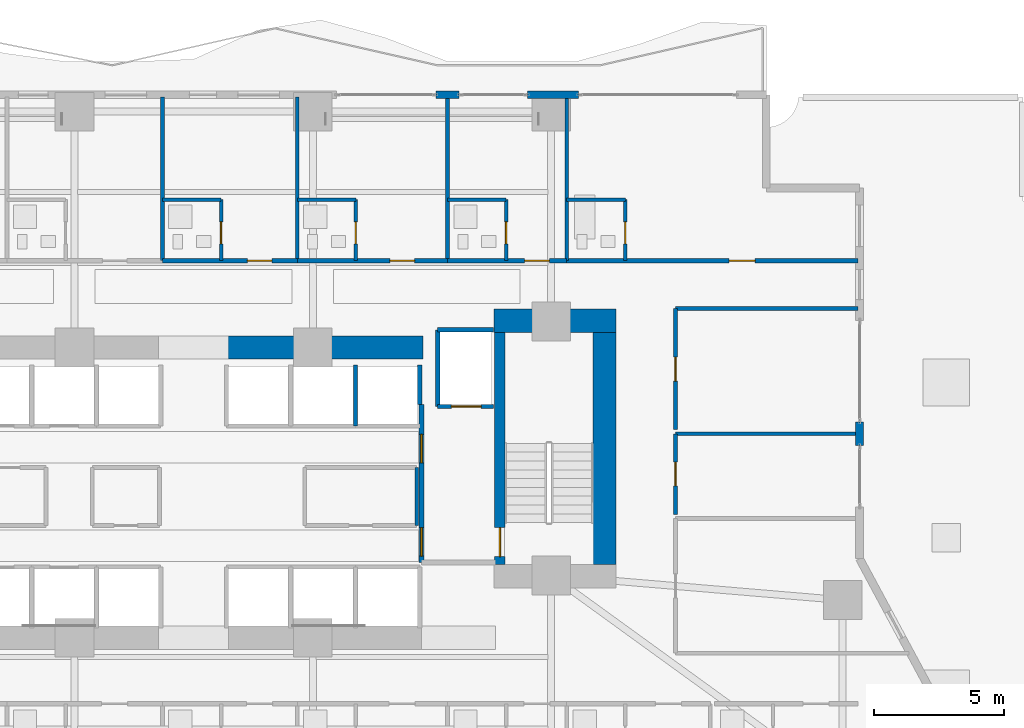
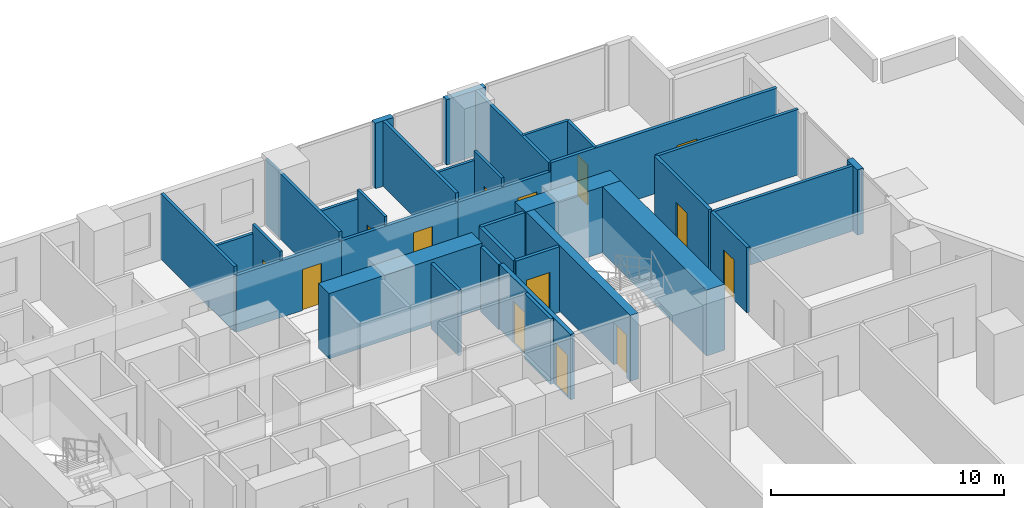
# One storey, part 24 of 30: 34 walls, 14 doors, 14 openings.
"""IFC4 building model written with IfcOpenShell, lengths in metres."""

from ifc_helpers import new_model, si_unit, direction, frame, frame_2d, origin, place, context, subcontext, project, spatial, rectangle, extrude, material, layer, layer_set, type_object, element, fill, save


model = new_model("IFC4")

# Units and contexts
model_context = context("Model", 3, precision=1e-05, world=origin(), true_north=direction((0.0, 1.0)))
body_context = subcontext(model_context, "Body", "Model", "MODEL_VIEW")
ifc_project = project(units=[si_unit("LENGTHUNIT", "METRE"), si_unit("AREAUNIT", "SQUARE_METRE"), si_unit("VOLUMEUNIT", "CUBIC_METRE"), si_unit("PLANEANGLEUNIT", "RADIAN"), si_unit("MASSUNIT", "GRAM", prefix="KILO")], contexts=[model_context])

# Site, building, storey
site_placement = place(None, origin())
site = spatial("IfcSite", under=ifc_project, at=site_placement, CompositionType="ELEMENT")
building_placement = place(site_placement, origin())
building = spatial("IfcBuilding", under=site, at=building_placement, Name="Zuhayl Quay Hotel", CompositionType="ELEMENT")
storey_placement = place(building_placement, frame((0.0, 0.0, 27.60009765625)))
storey = spatial("IfcBuildingStorey", under=building, at=storey_placement, Name="L05", CompositionType="ELEMENT", Elevation=27.60009765625)

# Walls
ifc_material_1 = material(Name="Concrete C70/85", Category="concrete")
ifc_layer_1 = layer(ifc_material_1, 0.89990234375, Name="Concrete C70/85", Category="concrete")
ifc_layer_set_1 = layer_set([ifc_layer_1], Name="Concrete C70/85")
wall_type_1 = type_object("IfcWallType", Name="WL_CORE_900", PredefinedType="SHEAR", material=ifc_layer_set_1)
wall_1_placement = place(storey_placement, frame((11.60009765625, 14.3798828125, 0.0), z_axis=(0.0, 0.0, 1.0), x_axis=(1.0, 0.0, 0.0)))
element("IfcWall", 1, at=wall_1_placement, inside=storey, type_object=wall_type_1, Name="L05 Core Shear Wall CW_NE", PredefinedType="SHEAR", context=body_context, shape_type="SweptSolid", body=[
    extrude(rectangle(XDim=4.7099609375, YDim=0.89990234375, at=frame_2d((2.35498046875, 0.0))), origin(), (0.0, 0.0, 1.0), 3.4599609375),
])
wall_2_placement = place(storey_placement, frame((15.860107421875, 4.969970703125, 0.0), z_axis=(0.0, 0.0, 1.0), x_axis=(0.0, 1.0, 0.0)))
element("IfcWall", 2, at=wall_2_placement, inside=storey, type_object=wall_type_1, Name="L05 Core Shear Wall CW_E", PredefinedType="SHEAR", context=body_context, shape_type="SweptSolid", body=[
    extrude(rectangle(XDim=8.9599609375, YDim=0.89990234375, at=frame_2d((4.47998046875, 0.0))), origin(), (0.0, 0.0, 1.0), 3.4599609375),
])
wall_3_placement = place(storey_placement, frame((1.25, 13.35009765625, 0.0), z_axis=(0.0, 0.0, 1.0), x_axis=(1.0, 0.0, 0.0)))
element("IfcWall", 3, at=wall_3_placement, inside=storey, type_object=wall_type_1, Name="L05 Core Shear Wall CW_NC_E", PredefinedType="SHEAR", context=body_context, shape_type="SweptSolid", body=[
    extrude(rectangle(XDim=7.60009765625, YDim=0.89990234375, at=frame_2d((3.800048828125, 0.0))), origin(), (0.0, 0.0, 1.0), 3.429931640625),
])
ifc_material_2 = material(Name="Precast concrete C45/55", Category="concrete")
ifc_layer_2 = layer(ifc_material_2, 0.300048828125, Name="Precast concrete C45/55", Category="concrete")
ifc_layer_set_2 = layer_set([ifc_layer_2], Name="Precast concrete C45/55")
wall_type_2 = type_object("IfcWallType", Name="WL_EXT_300", PredefinedType="STANDARD", material=ifc_layer_set_2)
wall_4_placement = place(storey_placement, frame((9.35009765625, 23.10009765625, 0.0), z_axis=(0.0, 0.0, 1.0), x_axis=(1.0, 0.0, 0.0)))
element("IfcWall", 4, at=wall_4_placement, inside=storey, type_object=wall_type_2, Name="L05 Exterior Precast Wall ENV_L05_N_EW3", PredefinedType="STANDARD", context=body_context, shape_type="SweptSolid", body=[
    extrude(rectangle(XDim=0.89990234375, YDim=0.300048828125, at=frame_2d((0.449951171875, 0.0))), origin(), (0.0, 0.0, 1.0), 3.429931640625),
])
wall_5_placement = place(storey_placement, frame((12.8798828125, 23.10009765625, 0.0), z_axis=(0.0, 0.0, 1.0), x_axis=(1.0, 0.0, 0.0)))
element("IfcWall", 5, at=wall_5_placement, inside=storey, type_object=wall_type_2, Name="L05 Exterior Precast Wall ENV_L05_N_EW4", PredefinedType="STANDARD", context=body_context, shape_type="SweptSolid", body=[
    extrude(rectangle(XDim=1.97021484375, YDim=0.300048828125, at=frame_2d((0.985107421875, 0.0))), origin(), (0.0, 0.0, 1.0), 3.429931640625),
])
wall_6_placement = place(storey_placement, frame((25.699951171875, 10.469970703125, 0.0), z_axis=(0.0, 0.0, 1.0), x_axis=(0.0, -1.0, 0.0)))
element("IfcWall", 6, at=wall_6_placement, inside=storey, type_object=wall_type_2, Name="L05 Exterior Precast Wall ENV_L05_E11_EW2", PredefinedType="STANDARD", context=body_context, shape_type="SweptSolid", body=[
    extrude(rectangle(XDim=0.89990234375, YDim=0.300048828125, at=frame_2d((0.449951171875, 0.0))), origin(), (0.0, 0.0, 1.0), 3.429931640625),
])
ifc_material_3 = material(Name="Acoustic Gypsum Partition STC-58")
ifc_layer_3 = layer(ifc_material_3, 0.14990234375, Name="Acoustic Gypsum Partition STC-58")
ifc_layer_set_3 = layer_set([ifc_layer_3], Name="Acoustic Gypsum Partition STC-58")
wall_type_3 = type_object("IfcWallType", Name="WL_PART_150", PredefinedType="PARTITIONING", material=ifc_layer_set_3)
wall_7_placement = place(storey_placement, frame((8.610107421875, 6.47998046875, 0.0), z_axis=(0.0, 0.0, 1.0), x_axis=(0.0, 1.0, 0.0)))
element("IfcWall", 7, at=wall_7_placement, inside=storey, type_object=wall_type_3, Name="L05 Partition IW_L05_CORE_VL_E", PredefinedType="PARTITIONING", context=body_context, shape_type="SweptSolid", body=[
    extrude(rectangle(XDim=2.239990234375, YDim=0.14990234375, at=frame_2d((1.1201171875, 0.0))), origin(), (0.0, 0.0, 1.0), 3.429931640625),
])
for number, where, z_axis, x_axis, name in (
    (8, (-1.199951171875, 16.699951171875, 0.0), (0.0, 0.0, 1.0), (0.0, 1.0, 0.0), "L05 Partition IW_L05_NU03_E"),
    (9, (4.0, 16.699951171875, 0.0), (0.0, 0.0, 1.0), (0.0, 1.0, 0.0), "L05 Partition IW_L05_NU04_E"),
    (10, (9.800048828125, 16.699951171875, 0.0), (0.0, 0.0, 1.0), (0.0, 1.0, 0.0), "L05 Partition IW_L05_NU05_E"),
    (11, (14.39990234375, 16.699951171875, 0.0), (0.0, 0.0, 1.0), (0.0, 1.0, 0.0), "L05 Partition IW_L05_NU06_E"),
):
    element("IfcWall", number, at=place(storey_placement, frame(where, z_axis=z_axis, x_axis=x_axis)), inside=storey, type_object=wall_type_3, Name=name, PredefinedType="PARTITIONING", context=body_context, shape_type="SweptSolid", body=[
        extrude(rectangle(XDim=6.320068359375, YDim=0.14990234375, at=frame_2d((3.16015625, 0.0))), origin(), (0.0, 0.0, 1.0), 3.429931640625),
    ])
for number, where, z_axis, x_axis, name in (
    (12, (18.60009765625, 10.02001953125, 0.0), (0.0, 0.0, 1.0), (1.0, 0.0, 0.0), "L05 Partition IW_L05_EFLK_2_N"),
    (13, (18.60009765625, 14.85009765625, 0.0), (0.0, 0.0, 1.0), (1.0, 0.0, 0.0), "L05 Partition IW_L05_EFLK_3_N"),
):
    element("IfcWall", number, at=place(storey_placement, frame(where, z_axis=z_axis, x_axis=x_axis)), inside=storey, type_object=wall_type_3, Name=name, PredefinedType="PARTITIONING", context=body_context, shape_type="SweptSolid", body=[
        extrude(rectangle(XDim=7.039794921875, YDim=0.14990234375, at=frame_2d((3.52001953125, 0.0))), origin(), (0.0, 0.0, 1.0), 3.429931640625),
    ])

# Wall, opening, door
ifc_layer_4 = layer(ifc_material_3, 0.159912109375, Name="Acoustic Gypsum Partition STC-58")
ifc_layer_set_4 = layer_set([ifc_layer_4], Name="Acoustic Gypsum Partition STC-58")
wall_type_4 = type_object("IfcWallType", Name="WL_PART_CORR_160", PredefinedType="PARTITIONING", material=ifc_layer_set_4)
wall_8_placement = place(storey_placement, frame((-1.199951171875, 16.699951171875, 0.0), z_axis=(0.0, 0.0, 1.0), x_axis=(1.0, 0.0, 0.0)))
wall_8 = element("IfcWall", 14, at=wall_8_placement, inside=storey, type_object=wall_type_4, Name="L05 Partition IW_L05_NU04_COR", PredefinedType="PARTITIONING", context=body_context, shape_type="SweptSolid", body=[
    extrude(rectangle(XDim=5.199951171875, YDim=0.159912109375, at=frame_2d((2.60009765625, 0.0))), origin(), (0.0, 0.0, 1.0), 2.972900390625),
])
opening_1_placement = place(wall_8_placement, frame((3.27490234375, 0.0, 0.0)))
opening_1 = element("IfcOpeningElement", 15, at=opening_1_placement, cuts=wall_8, Name="Opening D03", PredefinedType="OPENING", context=body_context, shape_type="SweptSolid", body=[
    extrude(rectangle(XDim=0.949951171875, YDim=2.14990234375, at=frame_2d((0.47509765625, 1.074951171875))), frame((0.0, 0.08984375, 0.0), z_axis=(0.0, -1.0, 0.0), x_axis=(1.0, 0.0, 0.0)), (0.0, 0.0, 1.0), 0.179931640625),
])
ifc_material_4 = material(Name="Solid Walnut Acoustic Fire Door")
door_type_1 = type_object("IfcDoorType", Name="DR_SUITE_950", OperationType="NOTDEFINED", PredefinedType="DOOR", material=ifc_material_4)
door_1_placement = place(opening_1_placement, origin())
door_1 = element("IfcDoor", 16, at=door_1_placement, inside=storey, type_object=door_type_1, Name="L05 Deluxe Gulf Guest Room L05-04 Entrance Door", OperationType="SINGLE_SWING_RIGHT", OverallHeight=2.14990234375, OverallWidth=0.949951171875, PredefinedType="DOOR", context=body_context, shape_type="SweptSolid", body=[
    extrude(rectangle(XDim=0.949951171875, YDim=2.14990234375, at=frame_2d((0.47509765625, 1.074951171875))), frame((0.0, 0.02490234375, 0.0), z_axis=(0.0, -1.0, 0.0), x_axis=(1.0, 0.0, 0.0)), (0.0, 0.0, 1.0), 0.050048828125),
])
fill(opening_1, door_1)

wall_9_placement = place(storey_placement, frame((4.0, 16.699951171875, 0.0), z_axis=(0.0, 0.0, 1.0), x_axis=(1.0, 0.0, 0.0)))
wall_9 = element("IfcWall", 17, at=wall_9_placement, inside=storey, type_object=wall_type_4, Name="L05 Partition IW_L05_NU05_COR", PredefinedType="PARTITIONING", context=body_context, shape_type="SweptSolid", body=[
    extrude(rectangle(XDim=5.800048828125, YDim=0.159912109375, at=frame_2d((2.89990234375, 0.0))), origin(), (0.0, 0.0, 1.0), 2.972900390625),
])
opening_2_placement = place(wall_9_placement, frame((3.574951171875, 0.0, 0.0)))
opening_2 = element("IfcOpeningElement", 18, at=opening_2_placement, cuts=wall_9, Name="Opening D03", PredefinedType="OPENING", context=body_context, shape_type="SweptSolid", body=[
    extrude(rectangle(XDim=0.949951171875, YDim=2.14990234375, at=frame_2d((0.47509765625, 1.074951171875))), frame((0.0, 0.08984375, 0.0), z_axis=(0.0, -1.0, 0.0), x_axis=(1.0, 0.0, 0.0)), (0.0, 0.0, 1.0), 0.179931640625),
])
door_2_placement = place(opening_2_placement, origin())
door_2 = element("IfcDoor", 19, at=door_2_placement, inside=storey, type_object=door_type_1, Name="L05 Deluxe Gulf Guest Room L05-05 Entrance Door", OperationType="SINGLE_SWING_RIGHT", OverallHeight=2.14990234375, OverallWidth=0.949951171875, PredefinedType="DOOR", context=body_context, shape_type="SweptSolid", body=[
    extrude(rectangle(XDim=0.949951171875, YDim=2.14990234375, at=frame_2d((0.47509765625, 1.074951171875))), frame((0.0, 0.02490234375, 0.0), z_axis=(0.0, -1.0, 0.0), x_axis=(1.0, 0.0, 0.0)), (0.0, 0.0, 1.0), 0.050048828125),
])
fill(opening_2, door_2)

wall_10_placement = place(storey_placement, frame((9.800048828125, 16.699951171875, 0.0), z_axis=(0.0, 0.0, 1.0), x_axis=(1.0, 0.0, 0.0)))
wall_10 = element("IfcWall", 20, at=wall_10_placement, inside=storey, type_object=wall_type_4, Name="L05 Partition IW_L05_NU06_COR", PredefinedType="PARTITIONING", context=body_context, shape_type="SweptSolid", body=[
    extrude(rectangle(XDim=4.599853515625, YDim=0.159912109375, at=frame_2d((2.2998046875, 0.0))), origin(), (0.0, 0.0, 1.0), 2.972900390625),
])
opening_3_placement = place(wall_10_placement, frame((2.97509765625, 0.0, 0.0)))
opening_3 = element("IfcOpeningElement", 21, at=opening_3_placement, cuts=wall_10, Name="Opening D03", PredefinedType="OPENING", context=body_context, shape_type="SweptSolid", body=[
    extrude(rectangle(XDim=0.949951171875, YDim=2.14990234375, at=frame_2d((0.47509765625, 1.074951171875))), frame((0.0, 0.08984375, 0.0), z_axis=(0.0, -1.0, 0.0), x_axis=(1.0, 0.0, 0.0)), (0.0, 0.0, 1.0), 0.179931640625),
])
door_3_placement = place(opening_3_placement, origin())
door_3 = element("IfcDoor", 22, at=door_3_placement, inside=storey, type_object=door_type_1, Name="L05 Deluxe Gulf Guest Room L05-06 Entrance Door", OperationType="SINGLE_SWING_RIGHT", OverallHeight=2.14990234375, OverallWidth=0.949951171875, PredefinedType="DOOR", context=body_context, shape_type="SweptSolid", body=[
    extrude(rectangle(XDim=0.949951171875, YDim=2.14990234375, at=frame_2d((0.47509765625, 1.074951171875))), frame((0.0, 0.02490234375, 0.0), z_axis=(0.0, -1.0, 0.0), x_axis=(1.0, 0.0, 0.0)), (0.0, 0.0, 1.0), 0.050048828125),
])
fill(opening_3, door_3)

wall_11_placement = place(storey_placement, frame((14.39990234375, 16.699951171875, 0.0), z_axis=(0.0, 0.0, 1.0), x_axis=(1.0, 0.0, 0.0)))
wall_11 = element("IfcWall", 23, at=wall_11_placement, inside=storey, type_object=wall_type_4, Name="L05 Partition IW_L05_NU07_COR", PredefinedType="PARTITIONING", context=body_context, shape_type="SweptSolid", body=[
    extrude(rectangle(XDim=11.239990234375, YDim=0.159912109375, at=frame_2d((5.6201171875, 0.0))), origin(), (0.0, 0.0, 1.0), 3.429931640625),
])
opening_4_placement = place(wall_11_placement, frame((6.27001953125, 0.0, 0.0)))
opening_4 = element("IfcOpeningElement", 24, at=opening_4_placement, cuts=wall_11, Name="Opening D03L", PredefinedType="OPENING", context=body_context, shape_type="SweptSolid", body=[
    extrude(rectangle(XDim=1.0, YDim=2.14990234375, at=frame_2d((0.5, 1.074951171875))), frame((0.0, 0.08984375, 0.0), z_axis=(0.0, -1.0, 0.0), x_axis=(1.0, 0.0, 0.0)), (0.0, 0.0, 1.0), 0.179931640625),
])
door_type_2 = type_object("IfcDoorType", Name="DR_SUITE_1000", OperationType="NOTDEFINED", PredefinedType="DOOR", material=ifc_material_4)
door_4_placement = place(opening_4_placement, origin())
door_4 = element("IfcDoor", 25, at=door_4_placement, inside=storey, type_object=door_type_2, Name="L05 Deluxe Gulf Guest Room L05-07 Entrance Door", OperationType="SINGLE_SWING_RIGHT", OverallHeight=2.14990234375, OverallWidth=1.0, PredefinedType="DOOR", context=body_context, shape_type="SweptSolid", body=[
    extrude(rectangle(XDim=1.0, YDim=2.14990234375, at=frame_2d((0.5, 1.074951171875))), frame((0.0, 0.02490234375, 0.0), z_axis=(0.0, -1.0, 0.0), x_axis=(1.0, 0.0, 0.0)), (0.0, 0.0, 1.0), 0.050048828125),
])
fill(opening_4, door_4)

wall_12_placement = place(storey_placement, frame((18.60009765625, 6.909912109375, 0.0), z_axis=(0.0, 0.0, 1.0), x_axis=(0.0, 1.0, 0.0)))
wall_12 = element("IfcWall", 26, at=wall_12_placement, inside=storey, type_object=wall_type_4, Name="L05 Partition IW_L05_EFLK_2_W", PredefinedType="PARTITIONING", context=body_context, shape_type="SweptSolid", body=[
    extrude(rectangle(XDim=3.110107421875, YDim=0.159912109375, at=frame_2d((1.55517578125, 0.0))), origin(), (0.0, 0.0, 1.0), 3.429931640625),
])
opening_5_placement = place(wall_12_placement, frame((1.094970703125, 0.0, 0.0)))
opening_5 = element("IfcOpeningElement", 27, at=opening_5_placement, cuts=wall_12, Name="Opening D05", PredefinedType="OPENING", context=body_context, shape_type="SweptSolid", body=[
    extrude(rectangle(XDim=0.919921875, YDim=2.1201171875, at=frame_2d((0.4599609375, 1.06005859375))), frame((0.0, 0.08984375, 0.0), z_axis=(0.0, -1.0, 0.0), x_axis=(1.0, 0.0, 0.0)), (0.0, 0.0, 1.0), 0.179931640625),
])
door_type_3 = type_object("IfcDoorType", Name="DR_INT_950", OperationType="NOTDEFINED", PredefinedType="DOOR", material=ifc_material_4)
door_5_placement = place(opening_5_placement, origin())
door_5 = element("IfcDoor", 28, at=door_5_placement, inside=storey, type_object=door_type_3, Name="L05 Floor Beverage Pantry Door", OperationType="SINGLE_SWING_RIGHT", OverallHeight=2.1201171875, OverallWidth=0.919921875, PredefinedType="DOOR", context=body_context, shape_type="SweptSolid", body=[
    extrude(rectangle(XDim=0.919921875, YDim=2.1201171875, at=frame_2d((0.4599609375, 1.06005859375))), frame((0.0, 0.02490234375, 0.0), z_axis=(0.0, -1.0, 0.0), x_axis=(1.0, 0.0, 0.0)), (0.0, 0.0, 1.0), 0.050048828125),
])
fill(opening_5, door_5)

wall_13_placement = place(storey_placement, frame((18.60009765625, 10.179931640625, 0.0), z_axis=(0.0, 0.0, 1.0), x_axis=(0.0, 1.0, 0.0)))
wall_13 = element("IfcWall", 29, at=wall_13_placement, inside=storey, type_object=wall_type_4, Name="L05 Partition IW_L05_EFLK_3_W", PredefinedType="PARTITIONING", context=body_context, shape_type="SweptSolid", body=[
    extrude(rectangle(XDim=4.670166015625, YDim=0.159912109375, at=frame_2d((2.3349609375, 0.0))), origin(), (0.0, 0.0, 1.0), 3.429931640625),
])
opening_6_placement = place(wall_13_placement, frame((1.875, 0.0, 0.0)))
opening_6 = element("IfcOpeningElement", 30, at=opening_6_placement, cuts=wall_13, Name="Opening D05", PredefinedType="OPENING", context=body_context, shape_type="SweptSolid", body=[
    extrude(rectangle(XDim=0.919921875, YDim=2.1201171875, at=frame_2d((0.4599609375, 1.06005859375))), frame((0.0, 0.08984375, 0.0), z_axis=(0.0, -1.0, 0.0), x_axis=(1.0, 0.0, 0.0)), (0.0, 0.0, 1.0), 0.179931640625),
])
door_6_placement = place(opening_6_placement, origin())
door_6 = element("IfcDoor", 31, at=door_6_placement, inside=storey, type_object=door_type_3, Name="L05 East Prow Office L05 Door", OperationType="SINGLE_SWING_LEFT", OverallHeight=2.1201171875, OverallWidth=0.919921875, PredefinedType="DOOR", context=body_context, shape_type="SweptSolid", body=[
    extrude(rectangle(XDim=0.919921875, YDim=2.1201171875, at=frame_2d((0.4599609375, 1.06005859375))), frame((0.0, 0.02490234375, 0.0), z_axis=(0.0, -1.0, 0.0), x_axis=(1.0, 0.0, 0.0)), (0.0, 0.0, 1.0), 0.050048828125),
])
fill(opening_6, door_6)

ifc_material_5 = material(Name="Moisture-Resistant Sanitarychase Gypsum")
ifc_layer_5 = layer(ifc_material_5, 0.135009765625, Name="Moisture-Resistant Sanitarychase Gypsum")
ifc_layer_set_5 = layer_set([ifc_layer_5], Name="Moisture-Resistant Sanitarychase Gypsum")
wall_type_5 = type_object("IfcWallType", Name="WL_PART_PLUMB_150", PredefinedType="PLUMBINGWALL", material=ifc_layer_set_5)
wall_14_placement = place(storey_placement, frame((1.06005859375, 16.699951171875, 0.0), z_axis=(0.0, 0.0, 1.0), x_axis=(0.0, 1.0, 0.0)))
wall_14 = element("IfcWall", 32, at=wall_14_placement, inside=storey, type_object=wall_type_5, Name="L05 Partition IW_L05_NU04_BE", PredefinedType="PLUMBINGWALL", context=body_context, shape_type="SweptSolid", body=[
    extrude(rectangle(XDim=2.360107421875, YDim=0.135009765625, at=frame_2d((1.18017578125, 0.0))), origin(), (0.0, 0.0, 1.0), 3.429931640625),
])
opening_7_placement = place(wall_14_placement, frame((0.64990234375, 0.0, 0.0)))
opening_7 = element("IfcOpeningElement", 33, at=opening_7_placement, cuts=wall_14, Name="Opening D04", PredefinedType="OPENING", context=body_context, shape_type="SweptSolid", body=[
    extrude(rectangle(XDim=0.85009765625, YDim=2.10009765625, at=frame_2d((0.425048828125, 1.050048828125))), frame((0.0, 0.077392578125, 0.0), z_axis=(0.0, -1.0, 0.0), x_axis=(1.0, 0.0, 0.0)), (0.0, 0.0, 1.0), 0.155029296875),
])
ifc_material_6 = material(Name="Moisture-Resistant Walnut Veneer")
door_type_4 = type_object("IfcDoorType", Name="DR_BATH_850", OperationType="NOTDEFINED", PredefinedType="DOOR", material=ifc_material_6)
door_7_placement = place(opening_7_placement, origin())
door_7 = element("IfcDoor", 34, at=door_7_placement, inside=storey, type_object=door_type_4, Name="L05 Deluxe Gulf Guest Room L05-04 En-Suite Door", OperationType="SINGLE_SWING_LEFT", OverallHeight=2.10009765625, OverallWidth=0.85009765625, PredefinedType="DOOR", context=body_context, shape_type="SweptSolid", body=[
    extrude(rectangle(XDim=0.85009765625, YDim=2.10009765625, at=frame_2d((0.425048828125, 1.050048828125))), frame((0.0, 0.02490234375, 0.0), z_axis=(0.0, -1.0, 0.0), x_axis=(1.0, 0.0, 0.0)), (0.0, 0.0, 1.0), 0.050048828125),
])
fill(opening_7, door_7)

wall_15_placement = place(storey_placement, frame((6.260009765625, 16.699951171875, 0.0), z_axis=(0.0, 0.0, 1.0), x_axis=(0.0, 1.0, 0.0)))
wall_15 = element("IfcWall", 35, at=wall_15_placement, inside=storey, type_object=wall_type_5, Name="L05 Partition IW_L05_NU05_BE", PredefinedType="PLUMBINGWALL", context=body_context, shape_type="SweptSolid", body=[
    extrude(rectangle(XDim=2.360107421875, YDim=0.135009765625, at=frame_2d((1.18017578125, 0.0))), origin(), (0.0, 0.0, 1.0), 3.429931640625),
])
opening_8_placement = place(wall_15_placement, frame((0.64990234375, 0.0, 0.0)))
opening_8 = element("IfcOpeningElement", 36, at=opening_8_placement, cuts=wall_15, Name="Opening D04", PredefinedType="OPENING", context=body_context, shape_type="SweptSolid", body=[
    extrude(rectangle(XDim=0.85009765625, YDim=2.10009765625, at=frame_2d((0.425048828125, 1.050048828125))), frame((0.0, 0.077392578125, 0.0), z_axis=(0.0, -1.0, 0.0), x_axis=(1.0, 0.0, 0.0)), (0.0, 0.0, 1.0), 0.155029296875),
])
door_8_placement = place(opening_8_placement, origin())
door_8 = element("IfcDoor", 37, at=door_8_placement, inside=storey, type_object=door_type_4, Name="L05 Deluxe Gulf Guest Room L05-05 En-Suite Door", OperationType="SINGLE_SWING_LEFT", OverallHeight=2.10009765625, OverallWidth=0.85009765625, PredefinedType="DOOR", context=body_context, shape_type="SweptSolid", body=[
    extrude(rectangle(XDim=0.85009765625, YDim=2.10009765625, at=frame_2d((0.425048828125, 1.050048828125))), frame((0.0, 0.02490234375, 0.0), z_axis=(0.0, -1.0, 0.0), x_axis=(1.0, 0.0, 0.0)), (0.0, 0.0, 1.0), 0.050048828125),
])
fill(opening_8, door_8)

wall_16_placement = place(storey_placement, frame((12.06005859375, 16.699951171875, 0.0), z_axis=(0.0, 0.0, 1.0), x_axis=(0.0, 1.0, 0.0)))
wall_16 = element("IfcWall", 38, at=wall_16_placement, inside=storey, type_object=wall_type_5, Name="L05 Partition IW_L05_NU06_BE", PredefinedType="PLUMBINGWALL", context=body_context, shape_type="SweptSolid", body=[
    extrude(rectangle(XDim=2.360107421875, YDim=0.135009765625, at=frame_2d((1.18017578125, 0.0))), origin(), (0.0, 0.0, 1.0), 3.429931640625),
])
opening_9_placement = place(wall_16_placement, frame((0.64990234375, 0.0, 0.0)))
opening_9 = element("IfcOpeningElement", 39, at=opening_9_placement, cuts=wall_16, Name="Opening D04", PredefinedType="OPENING", context=body_context, shape_type="SweptSolid", body=[
    extrude(rectangle(XDim=0.85009765625, YDim=2.10009765625, at=frame_2d((0.425048828125, 1.050048828125))), frame((0.0, 0.077392578125, 0.0), z_axis=(0.0, -1.0, 0.0), x_axis=(1.0, 0.0, 0.0)), (0.0, 0.0, 1.0), 0.155029296875),
])
door_9_placement = place(opening_9_placement, origin())
door_9 = element("IfcDoor", 40, at=door_9_placement, inside=storey, type_object=door_type_4, Name="L05 Deluxe Gulf Guest Room L05-06 En-Suite Door", OperationType="SINGLE_SWING_LEFT", OverallHeight=2.10009765625, OverallWidth=0.85009765625, PredefinedType="DOOR", context=body_context, shape_type="SweptSolid", body=[
    extrude(rectangle(XDim=0.85009765625, YDim=2.10009765625, at=frame_2d((0.425048828125, 1.050048828125))), frame((0.0, 0.02490234375, 0.0), z_axis=(0.0, -1.0, 0.0), x_axis=(1.0, 0.0, 0.0)), (0.0, 0.0, 1.0), 0.050048828125),
])
fill(opening_9, door_9)

wall_17_placement = place(storey_placement, frame((16.659912109375, 16.699951171875, 0.0), z_axis=(0.0, 0.0, 1.0), x_axis=(0.0, 1.0, 0.0)))
wall_17 = element("IfcWall", 41, at=wall_17_placement, inside=storey, type_object=wall_type_5, Name="L05 Partition IW_L05_NU07_BE", PredefinedType="PLUMBINGWALL", context=body_context, shape_type="SweptSolid", body=[
    extrude(rectangle(XDim=2.360107421875, YDim=0.135009765625, at=frame_2d((1.18017578125, 0.0))), origin(), (0.0, 0.0, 1.0), 3.429931640625),
])
opening_10_placement = place(wall_17_placement, frame((0.64990234375, 0.0, 0.0)))
opening_10 = element("IfcOpeningElement", 42, at=opening_10_placement, cuts=wall_17, Name="Opening D04", PredefinedType="OPENING", context=body_context, shape_type="SweptSolid", body=[
    extrude(rectangle(XDim=0.85009765625, YDim=2.10009765625, at=frame_2d((0.425048828125, 1.050048828125))), frame((0.0, 0.077392578125, 0.0), z_axis=(0.0, -1.0, 0.0), x_axis=(1.0, 0.0, 0.0)), (0.0, 0.0, 1.0), 0.155029296875),
])
door_10_placement = place(opening_10_placement, origin())
door_10 = element("IfcDoor", 43, at=door_10_placement, inside=storey, type_object=door_type_4, Name="L05 Deluxe Gulf Guest Room L05-07 En-Suite Door", OperationType="SINGLE_SWING_LEFT", OverallHeight=2.10009765625, OverallWidth=0.85009765625, PredefinedType="DOOR", context=body_context, shape_type="SweptSolid", body=[
    extrude(rectangle(XDim=0.85009765625, YDim=2.10009765625, at=frame_2d((0.425048828125, 1.050048828125))), frame((0.0, 0.02490234375, 0.0), z_axis=(0.0, -1.0, 0.0), x_axis=(1.0, 0.0, 0.0)), (0.0, 0.0, 1.0), 0.050048828125),
])
fill(opening_10, door_10)

# Walls
for number, where, z_axis, x_axis, name in (
    (44, (-1.199951171875, 19.06005859375, 0.0), (0.0, 0.0, 1.0), (1.0, 0.0, 0.0), "L05 Partition IW_L05_NU04_BN"),
    (45, (4.0, 19.06005859375, 0.0), (0.0, 0.0, 1.0), (1.0, 0.0, 0.0), "L05 Partition IW_L05_NU05_BN"),
    (46, (9.800048828125, 19.06005859375, 0.0), (0.0, 0.0, 1.0), (1.0, 0.0, 0.0), "L05 Partition IW_L05_NU06_BN"),
):
    element("IfcWall", number, at=place(storey_placement, frame(where, z_axis=z_axis, x_axis=x_axis)), inside=storey, type_object=wall_type_5, Name=name, PredefinedType="PLUMBINGWALL", context=body_context, shape_type="SweptSolid", body=[
        extrude(rectangle(XDim=2.260009765625, YDim=0.135009765625, at=frame_2d((1.1298828125, 0.0))), origin(), (0.0, 0.0, 1.0), 2.972900390625),
    ])
wall_18_placement = place(storey_placement, frame((14.39990234375, 19.06005859375, 0.0), z_axis=(0.0, 0.0, 1.0), x_axis=(1.0, 0.0, 0.0)))
element("IfcWall", 47, at=wall_18_placement, inside=storey, type_object=wall_type_5, Name="L05 Partition IW_L05_NU07_BN", PredefinedType="PLUMBINGWALL", context=body_context, shape_type="SweptSolid", body=[
    extrude(rectangle(XDim=2.260009765625, YDim=0.135009765625, at=frame_2d((1.1298828125, 0.0))), origin(), (0.0, 0.0, 1.0), 3.429931640625),
])

# Wall, opening, door
ifc_material_7 = material(Name="Gypsum Fireboard Assembly EI-90")
ifc_layer_6 = layer(ifc_material_7, 0.1650390625, Name="Gypsum Fireboard Assembly EI-90")
ifc_layer_set_6 = layer_set([ifc_layer_6], Name="Gypsum Fireboard Assembly EI-90")
wall_type_6 = type_object("IfcWallType", Name="WL_PART_SHAFT_160", PredefinedType="PARTITIONING", material=ifc_layer_set_6)
wall_19_placement = place(storey_placement, frame((9.419921875, 11.070068359375, 0.0), z_axis=(0.0, 0.0, 1.0), x_axis=(1.0, 0.0, 0.0)))
wall_19 = element("IfcWall", 48, at=wall_19_placement, inside=storey, type_object=wall_type_6, Name="L05 Partition IW_L05_SH_FL2_F", PredefinedType="PARTITIONING", context=body_context, shape_type="SweptSolid", body=[
    extrude(rectangle(XDim=2.16015625, YDim=0.1650390625, at=frame_2d((1.080078125, 0.0))), origin(), (0.0, 0.0, 1.0), 3.429931640625),
])
opening_11_placement = place(wall_19_placement, frame((0.530029296875, 0.0, 0.0)))
opening_11 = element("IfcOpeningElement", 49, at=opening_11_placement, cuts=wall_19, Name="Opening LD2", PredefinedType="OPENING", context=body_context, shape_type="SweptSolid", body=[
    extrude(rectangle(XDim=1.14990234375, YDim=2.25, at=frame_2d((0.574951171875, 1.125))), frame((0.0, 0.092529296875, 0.0), z_axis=(0.0, -1.0, 0.0), x_axis=(1.0, 0.0, 0.0)), (0.0, 0.0, 1.0), 0.18505859375),
])
ifc_material_8 = material(Name="Brushed Stainless Steel", Category="steel")
door_type_5 = type_object("IfcDoorType", Name="DR_LIFT_FF_1100", OperationType="SLIDING_TO_LEFT", PredefinedType="DOOR", material=ifc_material_8)
door_11_placement = place(opening_11_placement, origin())
door_11 = element("IfcDoor", 50, at=door_11_placement, inside=storey, type_object=door_type_5, Name="L05 Lift FL2 Sliding Landing Door", OperationType="SLIDING_TO_LEFT", OverallHeight=2.25, OverallWidth=1.14990234375, PredefinedType="DOOR", context=body_context, shape_type="SweptSolid", body=[
    extrude(rectangle(XDim=1.14990234375, YDim=2.25, at=frame_2d((0.574951171875, 1.125))), frame((0.0, 0.02490234375, 0.0), z_axis=(0.0, -1.0, 0.0), x_axis=(1.0, 0.0, 0.0)), (0.0, 0.0, 1.0), 0.050048828125),
])
fill(opening_11, door_11)

# Walls
wall_20_placement = place(storey_placement, frame((9.419921875, 11.070068359375, 0.0), z_axis=(0.0, 0.0, 1.0), x_axis=(0.0, 1.0, 0.0)))
element("IfcWall", 51, at=wall_20_placement, inside=storey, type_object=wall_type_6, Name="L05 Partition IW_L05_SH_FL2_W", PredefinedType="PARTITIONING", context=body_context, shape_type="SweptSolid", body=[
    extrude(rectangle(XDim=2.9599609375, YDim=0.1650390625, at=frame_2d((1.47998046875, 0.0))), origin(), (0.0, 0.0, 1.0), 3.429931640625),
])
wall_21_placement = place(storey_placement, frame((9.419921875, 14.030029296875, 0.0), z_axis=(0.0, 0.0, 1.0), x_axis=(1.0, 0.0, 0.0)))
element("IfcWall", 52, at=wall_21_placement, inside=storey, type_object=wall_type_6, Name="L05 Partition IW_L05_SH_FL2_B", PredefinedType="PARTITIONING", context=body_context, shape_type="SweptSolid", body=[
    extrude(rectangle(XDim=2.16015625, YDim=0.1650390625, at=frame_2d((1.080078125, 0.0))), origin(), (0.0, 0.0, 1.0), 3.429931640625),
])
wall_22_placement = place(storey_placement, frame((6.25, 10.320068359375, 0.0), z_axis=(0.0, 0.0, 1.0), x_axis=(0.0, 1.0, 0.0)))
element("IfcWall", 53, at=wall_22_placement, inside=storey, type_object=wall_type_6, Name="L05 Partition IW_L05_SH_HP3_E", PredefinedType="PARTITIONING", context=body_context, shape_type="SweptSolid", body=[
    extrude(rectangle(XDim=2.35986328125, YDim=0.1650390625, at=frame_2d((1.179931640625, 0.0))), origin(), (0.0, 0.0, 1.0), 3.429931640625),
])
wall_23_placement = place(storey_placement, frame((8.72998046875, 11.14990234375, 0.0), z_axis=(0.0, 0.0, 1.0), x_axis=(0.0, 1.0, 0.0)))
element("IfcWall", 54, at=wall_23_placement, inside=storey, type_object=wall_type_6, Name="L05 Partition IW_L05_SH_HP4_E", PredefinedType="PARTITIONING", context=body_context, shape_type="SweptSolid", body=[
    extrude(rectangle(XDim=1.530029296875, YDim=0.1650390625, at=frame_2d((0.76513671875, 0.0))), origin(), (0.0, 0.0, 1.0), 3.429931640625),
])

# Wall, openings, doors
ifc_material_9 = material(Name="Gypsum Fireboard Assembly EI-120")
ifc_layer_7 = layer(ifc_material_9, 0.199951171875, Name="Gypsum Fireboard Assembly EI-120")
ifc_layer_set_7 = layer_set([ifc_layer_7], Name="Gypsum Fireboard Assembly EI-120")
wall_type_7 = type_object("IfcWallType", Name="WL_PART_SHAFT_200", PredefinedType="PARTITIONING", material=ifc_layer_set_7)
wall_24_placement = place(storey_placement, frame((8.800048828125, 11.14990234375, 0.0), z_axis=(0.0, 0.0, 1.0), x_axis=(0.0, -1.0, 0.0)))
wall_24 = element("IfcWall", 55, at=wall_24_placement, inside=storey, type_object=wall_type_7, Name="L05 Partition IW_L05_FSAE_E_W", PredefinedType="PARTITIONING", context=body_context, shape_type="SweptSolid", body=[
    extrude(rectangle(XDim=6.099853515625, YDim=0.199951171875, at=frame_2d((3.0498046875, 0.0))), origin(), (0.0, 0.0, 1.0), 3.429931640625),
])
opening_12_placement = place(wall_24_placement, frame((1.14990234375, 0.0, 0.0)))
opening_12 = element("IfcOpeningElement", 56, at=opening_12_placement, cuts=wall_24, Name="Opening D02", PredefinedType="OPENING", context=body_context, shape_type="SweptSolid", body=[
    extrude(rectangle(XDim=1.10009765625, YDim=2.199951171875, at=frame_2d((0.550048828125, 1.10009765625))), frame((0.0, 0.10986328125, 0.0), z_axis=(0.0, -1.0, 0.0), x_axis=(1.0, 0.0, 0.0)), (0.0, 0.0, 1.0), 0.219970703125),
])
opening_13_placement = place(wall_24_placement, frame((4.75, 0.0, 0.0)))
opening_13 = element("IfcOpeningElement", 57, at=opening_13_placement, cuts=wall_24, Name="Opening D02", PredefinedType="OPENING", context=body_context, shape_type="SweptSolid", body=[
    extrude(rectangle(XDim=1.10009765625, YDim=2.199951171875, at=frame_2d((0.550048828125, 1.10009765625))), frame((0.0, 0.10986328125, 0.0), z_axis=(0.0, -1.0, 0.0), x_axis=(1.0, 0.0, 0.0)), (0.0, 0.0, 1.0), 0.219970703125),
])
ifc_material_10 = material(Name="Steel ASTM A992 Grade 50", Category="steel")
door_type_6 = type_object("IfcDoorType", Name="DR_FIRE_90_1100", OperationType="NOTDEFINED", PredefinedType="DOOR", material=ifc_material_10)
door_12_placement = place(opening_12_placement, origin())
door_12 = element("IfcDoor", 58, at=door_12_placement, inside=storey, type_object=door_type_6, Name="L05 FSAE Lobby East North Entry Door", OperationType="SINGLE_SWING_LEFT", OverallHeight=2.199951171875, OverallWidth=1.10009765625, PredefinedType="DOOR", context=body_context, shape_type="SweptSolid", body=[
    extrude(rectangle(XDim=1.10009765625, YDim=2.199951171875, at=frame_2d((0.550048828125, 1.10009765625))), frame((0.0, 0.02490234375, 0.0), z_axis=(0.0, -1.0, 0.0), x_axis=(1.0, 0.0, 0.0)), (0.0, 0.0, 1.0), 0.050048828125),
])
fill(opening_12, door_12)
door_13_placement = place(opening_13_placement, origin())
door_13 = element("IfcDoor", 59, at=door_13_placement, inside=storey, type_object=door_type_6, Name="L05 FSAE Lobby East South Entry Door", OperationType="SINGLE_SWING_RIGHT", OverallHeight=2.199951171875, OverallWidth=1.10009765625, PredefinedType="DOOR", context=body_context, shape_type="SweptSolid", body=[
    extrude(rectangle(XDim=1.10009765625, YDim=2.199951171875, at=frame_2d((0.550048828125, 1.10009765625))), frame((0.0, 0.02490234375, 0.0), z_axis=(0.0, -1.0, 0.0), x_axis=(1.0, 0.0, 0.0)), (0.0, 0.0, 1.0), 0.050048828125),
])
fill(opening_13, door_13)

# Wall, opening, door
ifc_material_11 = material(Name="Concrete C60/75", Category="concrete")
ifc_layer_8 = layer(ifc_material_11, 0.39990234375, Name="Concrete C60/75", Category="concrete")
ifc_layer_set_8 = layer_set([ifc_layer_8], Name="Concrete C60/75")
wall_type_8 = type_object("IfcWallType", Name="WL_STAIR_400", PredefinedType="SHEAR", material=ifc_layer_set_8)
wall_25_placement = place(storey_placement, frame((11.820068359375, 13.929931640625, 0.0), z_axis=(0.0, 0.0, 1.0), x_axis=(0.0, -1.0, 0.0)))
wall_25 = element("IfcWall", 60, at=wall_25_placement, inside=storey, type_object=wall_type_8, Name="L05 Core Shear Wall SW_ST2", PredefinedType="SHEAR", context=body_context, shape_type="SweptSolid", body=[
    extrude(rectangle(XDim=8.9599609375, YDim=0.39990234375, at=frame_2d((4.47998046875, 0.0))), origin(), (0.0, 0.0, 1.0), 3.4599609375),
])
opening_14_placement = place(wall_25_placement, frame((7.530029296875, 0.0, 0.0)))
opening_14 = element("IfcOpeningElement", 61, at=opening_14_placement, cuts=wall_25, Name="Opening D01", PredefinedType="OPENING", context=body_context, shape_type="SweptSolid", body=[
    extrude(rectangle(XDim=1.1201171875, YDim=2.219970703125, at=frame_2d((0.56005859375, 1.10986328125))), frame((0.0, 0.2099609375, 0.0), z_axis=(0.0, -1.0, 0.0), x_axis=(1.0, 0.0, 0.0)), (0.0, 0.0, 1.0), 0.419921875),
])
door_type_7 = type_object("IfcDoorType", Name="DR_STAIR_90_1100", OperationType="NOTDEFINED", PredefinedType="DOOR", material=ifc_material_10)
door_14_placement = place(opening_14_placement, origin())
door_14 = element("IfcDoor", 62, at=door_14_placement, inside=storey, type_object=door_type_7, Name="L05 Smokeproof Exit Stair ST2 Door", OperationType="SINGLE_SWING_RIGHT", OverallHeight=2.219970703125, OverallWidth=1.1201171875, PredefinedType="DOOR", context=body_context, shape_type="SweptSolid", body=[
    extrude(rectangle(XDim=1.1201171875, YDim=2.219970703125, at=frame_2d((0.56005859375, 1.10986328125))), frame((0.0, 0.02490234375, 0.0), z_axis=(0.0, -1.0, 0.0), x_axis=(1.0, 0.0, 0.0)), (0.0, 0.0, 1.0), 0.050048828125),
])
fill(opening_14, door_14)

save(model, "model.ifc")
